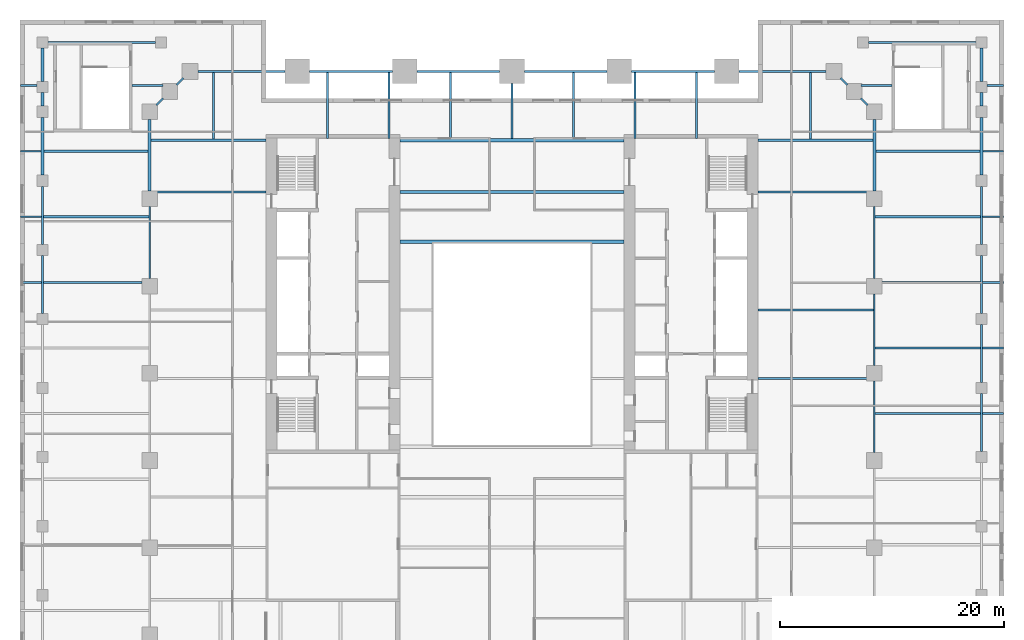
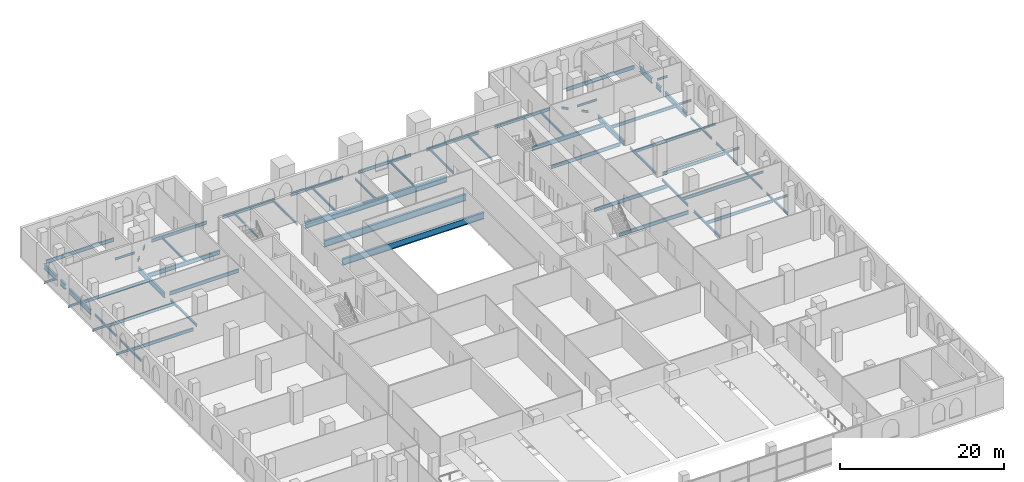
# One storey, part 6 of 18: 68 beams.
"""IFC4 building model written with IfcOpenShell, lengths in metres."""

import ifcopenshell
import ifcopenshell.guid

model = None  # the IFC model being written
_history = None  # IfcOwnerHistory: only IFC2X3 demands one
_inside = {}  # id of a spatial element -> (the spatial element, [elements in it])
_under = {}  # id of a project, library or spatial element -> (it, [spatial elements below it])
_declared = {}  # id of a project -> (the project, [libraries it declares])
_typed = {}  # id of a type object -> (the type object, [elements of that type])
_made_of = {}  # id of a material, layer set ... -> (it, [elements and type objects made of it])


def new_model(schema):
    """Start an empty IFC model of exactly this schema.

    Asked for "IFC4X3", IfcOpenShell would pick the latest addendum, in which some entities
    have other attributes; the version numbers below select the first issue.
    IFC2X3 requires an IfcOwnerHistory on every rooted entity: one is made here for all.
    """
    global model, _history
    if schema == "IFC4X3":
        model = ifcopenshell.file(schema_version=(4, 3, 0, 0))
    else:
        model = ifcopenshell.file(schema=schema)
    _inside.clear()
    _under.clear()
    _declared.clear()
    _typed.clear()
    _made_of.clear()
    _history = None
    if model.schema == "IFC2X3":
        org = make("IfcOrganization", Name="unknown")
        user = make(
            "IfcPersonAndOrganization",
            ThePerson=make("IfcPerson", FamilyName="unknown"),
            TheOrganization=org,
        )
        app = make(
            "IfcApplication",
            ApplicationDeveloper=org,
            Version="unknown",
            ApplicationFullName="unknown",
            ApplicationIdentifier="unknown",
        )
        _history = make(
            "IfcOwnerHistory",
            OwningUser=user,
            OwningApplication=app,
            ChangeAction="ADDED",
            CreationDate=0,
        )
    return model


def make(cls, **values):
    """One entity of the class cls with the attributes given. An attribute that is None is left unset."""
    return model.create_entity(
        cls, **{name: value for name, value in values.items() if value is not None}
    )


def rooted(cls, **values):
    """An entity with a GlobalId (a new one), such as an element, a storey or a relation."""
    return make(cls, GlobalId=ifcopenshell.guid.new(), OwnerHistory=_history, **values)


def si_unit(unit_type, name, prefix=None):
    """IfcSIUnit, for example si_unit("LENGTHUNIT", "METRE", prefix="MILLI")."""
    return make("IfcSIUnit", UnitType=unit_type, Prefix=prefix, Name=name)


def assignment(units):
    """IfcUnitAssignment: the units of a project."""
    return None if units is None else make("IfcUnitAssignment", Units=units)


def point(xyz):
    """IfcCartesianPoint."""
    return None if xyz is None else make("IfcCartesianPoint", Coordinates=xyz)


def direction(xyz):
    """IfcDirection."""
    return None if xyz is None else make("IfcDirection", DirectionRatios=xyz)


def frame(location, z_axis=None, x_axis=None):
    """IfcAxis2Placement3D, a coordinate frame: its origin and axes. An axis left out is left unset."""
    return make(
        "IfcAxis2Placement3D",
        Location=point(location),
        Axis=direction(z_axis),
        RefDirection=direction(x_axis),
    )


def frame_2d(location, x_axis=None):
    """IfcAxis2Placement2D, a coordinate frame in the plane: its origin and x axis."""
    return make(
        "IfcAxis2Placement2D", Location=point(location), RefDirection=direction(x_axis)
    )


def origin():
    """The frame at (0, 0, 0) with its axes left unset."""
    return frame((0.0, 0.0, 0.0))


def origin_2d():
    """The frame at (0, 0) in the plane with its x axis left unset."""
    return frame_2d((0.0, 0.0))


def place(relative_to, where):
    """IfcLocalPlacement: puts the frame where relative to a parent placement (None: the world)."""
    return make(
        "IfcLocalPlacement", PlacementRelTo=relative_to, RelativePlacement=where
    )


def context(
    kind, dimensions, precision=None, world=None, true_north=None, identifier=None
):
    """IfcGeometricRepresentationContext, for example the 3D "Model" context."""
    return make(
        "IfcGeometricRepresentationContext",
        ContextIdentifier=identifier,
        ContextType=kind,
        CoordinateSpaceDimension=dimensions,
        Precision=precision,
        WorldCoordinateSystem=world,
        TrueNorth=true_north,
    )


def subcontext(parent, identifier, kind, view, scale=None):
    """IfcGeometricRepresentationSubContext, for example "Body" below "Model"."""
    return make(
        "IfcGeometricRepresentationSubContext",
        ContextIdentifier=identifier,
        ContextType=kind,
        ParentContext=parent,
        TargetScale=scale,
        TargetView=view,
    )


def project(units=None, contexts=None):
    """IfcProject with its units and contexts."""
    return rooted(
        "IfcProject",
        Name="project",
        RepresentationContexts=contexts,
        UnitsInContext=assignment(units),
    )


def spatial(cls, under=None, at=None, **own):
    """A site, building, storey or space (cls), placed at a placement, below another one or the project."""
    s = rooted(cls, ObjectPlacement=at, **own)
    if under is not None:
        _under.setdefault(under.id(), (under, []))[1].append(s)
    return s


def profile(cls, at=None, kind="AREA", **sizes):
    """A parametric profile (cls). Its sizes go by their IFC names, for example OverallWidth=200.0."""
    return make(cls, ProfileType=kind, Position=at, **sizes)


def i_section(**sizes):
    """IfcIShapeProfileDef."""
    return profile("IfcIShapeProfileDef", **sizes)


def extrude(swept, where, along, depth):
    """IfcExtrudedAreaSolid: the profile swept, set in the frame where, extruded along a direction by depth."""
    return make(
        "IfcExtrudedAreaSolid",
        SweptArea=swept,
        Position=where,
        ExtrudedDirection=direction(along),
        Depth=depth,
    )


def shape(context_of_items, identifier, shape_type, items):
    """IfcShapeRepresentation: the items that make up one representation, for example the "Body"."""
    return make(
        "IfcShapeRepresentation",
        ContextOfItems=context_of_items,
        RepresentationIdentifier=identifier,
        RepresentationType=shape_type,
        Items=items,
    )


def material(Name=None, Category=None):
    """IfcMaterial."""
    return make("IfcMaterial", Name=Name, Category=Category)


def material_profile(
    of_material, cross_section, Name=None, Category=None, Priority=None
):
    """IfcMaterialProfile: a cross section and its material."""
    return make(
        "IfcMaterialProfile",
        Name=Name,
        Material=of_material,
        Profile=cross_section,
        Priority=Priority,
        Category=Category,
    )


def profile_set(profiles, Name=None, composite=None):
    """IfcMaterialProfileSet."""
    return make(
        "IfcMaterialProfileSet",
        Name=Name,
        MaterialProfiles=profiles,
        CompositeProfile=composite,
    )


def made_of(thing, what):
    """Note that an element or type object is made of a material, layer set ...; save() writes the relation."""
    if what is not None:
        _made_of.setdefault(what.id(), (what, []))[1].append(thing)
    return thing


def type_object(cls, material=None, **own):
    """A type object (cls), such as IfcWallType, which elements share."""
    return made_of(rooted(cls, **own), material)


def element(
    cls,
    number,
    at=None,
    inside=None,
    cuts=None,
    type_object=None,
    material=None,
    context=None,
    identifier="Body",
    shape_type=None,
    held_by="IfcProductDefinitionShape",
    body=None,
    shapes=None,
    **own,
):
    """One element of the class cls, such as IfcWall. Its Tag is "e" and its number.

    at: its placement. inside: the storey or other place that contains it. cuts: it is an
    opening in that element (IfcRelVoidsElement). A single representation is given by context,
    identifier, shape_type and body (its items); several are given by shapes. held_by: the class
    of the entity that holds the representations. save() writes the other relations.
    """
    e = rooted(cls, Tag="e%d" % number, ObjectPlacement=at, **own)
    if body is not None:
        shapes = [shape(context, identifier, shape_type, body)]
    if shapes is not None:
        e.Representation = make(held_by, Representations=shapes)
    if inside is not None:
        _inside.setdefault(inside.id(), (inside, []))[1].append(e)
    if cuts is not None:
        rooted(
            "IfcRelVoidsElement", RelatingBuildingElement=cuts, RelatedOpeningElement=e
        )
    if type_object is not None:
        _typed.setdefault(type_object.id(), (type_object, []))[1].append(e)
    return made_of(e, material)


def aggregate(whole, parts):
    """IfcRelAggregates: a whole, such as a stair, and the parts it consists of."""
    return rooted("IfcRelAggregates", RelatingObject=whole, RelatedObjects=parts)


def save(model, path):
    """Write the relations noted so far, then the file.

    IfcRelAggregates (storeys below a building ...), IfcRelContainedInSpatialStructure (elements
    in a storey), IfcRelDefinesByType, IfcRelAssociatesMaterial and IfcRelDeclares: one each for
    every whole, place, type object, material and project.
    """
    for whole, parts in _under.values():
        aggregate(whole, parts)
    for where, things in _inside.values():
        rooted(
            "IfcRelContainedInSpatialStructure",
            RelatedElements=things,
            RelatingStructure=where,
        )
    for kind, things in _typed.values():
        rooted("IfcRelDefinesByType", RelatedObjects=things, RelatingType=kind)
    for what, things in _made_of.values():
        rooted("IfcRelAssociatesMaterial", RelatedObjects=things, RelatingMaterial=what)
    for by, libraries in _declared.values():
        rooted("IfcRelDeclares", RelatingContext=by, RelatedDefinitions=libraries)
    model.write(path)


model = new_model("IFC4")

# Units and contexts
model_context = context("Model", 3, precision=1e-05, world=origin(), true_north=direction((0.0, 1.0)))
body_context = subcontext(model_context, "Body", "Model", "MODEL_VIEW")
ifc_project = project(units=[si_unit("LENGTHUNIT", "METRE"), si_unit("AREAUNIT", "SQUARE_METRE"), si_unit("VOLUMEUNIT", "CUBIC_METRE"), si_unit("PLANEANGLEUNIT", "RADIAN"), si_unit("MASSUNIT", "GRAM", prefix="KILO")], contexts=[model_context])

# Site, building, storey
site_placement = place(None, origin())
site = spatial("IfcSite", under=ifc_project, at=site_placement, CompositionType="ELEMENT")
building_placement = place(site_placement, origin())
building = spatial("IfcBuilding", under=site, at=building_placement, Name="Ogive Exchange Tower", CompositionType="ELEMENT")
storey_placement = place(building_placement, frame((0.0, 0.0, 28.800048828125)))
storey = spatial("IfcBuildingStorey", under=building, at=storey_placement, Name="L05", CompositionType="ELEMENT", Elevation=28.800048828125)

# Beams
ifc_material = material(Name="Steel ASTM A992 Gr50", Category="steel")
ifc_material_profile_1 = material_profile(ifc_material, i_section(OverallWidth=0.300048828125, OverallDepth=0.969970703125, WebThickness=0.01611328125, FlangeThickness=0.02099609375, at=origin_2d()), Name="W1000x222")
ifc_profile_set_1 = profile_set([ifc_material_profile_1], Name="Steel ASTM A992 Gr50")
beam_type_1 = type_object("IfcBeamType", Name="Floor beam W1000x222", PredefinedType="JOIST", material=ifc_profile_set_1)
beam_1_placement = place(storey_placement, frame((-10.0, 20.62255859375, -0.78515625), z_axis=(1.0, 0.0, 0.0), x_axis=(0.0, 1.0, 0.0)))
element("IfcBeam", 1, at=beam_1_placement, inside=storey, type_object=beam_type_1, Name="Floor beam", PredefinedType="JOIST", context=body_context, shape_type="SweptSolid", body=[
    extrude(i_section(OverallWidth=0.300048828125, OverallDepth=0.969970703125, WebThickness=0.01611328125, FlangeThickness=0.02099609375, at=origin_2d()), origin(), (0.0, 0.0, 1.0), 20.0),
])
ifc_material_profile_2 = material_profile(ifc_material, i_section(OverallWidth=0.1650390625, OverallDepth=0.31005859375, WebThickness=0.005859375, FlangeThickness=0.009765625, at=origin_2d()), Name="W310x38.7")
ifc_profile_set_2 = profile_set([ifc_material_profile_2], Name="Steel ASTM A992 Gr50")
beam_type_2 = type_object("IfcBeamType", Name="Floor beam W310x38.7", PredefinedType="JOIST", material=ifc_profile_set_2)
for number, where, z_axis, x_axis, name in (
    (2, (-16.5, 25.39990234375, -0.455078125), (0.0, 1.0, 0.0), (-1.0, 0.0, 0.0), "Floor beam"),
    (3, (-11.0, 25.39990234375, -0.455078125), (0.0, 1.0, 0.0), (-1.0, 0.0, 0.0), "Floor beam"),
):
    element("IfcBeam", number, at=place(storey_placement, frame(where, z_axis=z_axis, x_axis=x_axis)), inside=storey, type_object=beam_type_2, Name=name, PredefinedType="JOIST", context=body_context, shape_type="SweptSolid", body=[
        extrude(i_section(OverallWidth=0.1650390625, OverallDepth=0.31005859375, WebThickness=0.005859375, FlangeThickness=0.009765625, at=origin_2d()), origin(), (0.0, 0.0, 1.0), 5.904541015625),
    ])
beam_2_placement = place(storey_placement, frame((-5.5, 25.39501953125, -0.455078125), z_axis=(0.0, 1.0, 0.0), x_axis=(-1.0, 0.0, 0.0)))
element("IfcBeam", 4, at=beam_2_placement, inside=storey, type_object=beam_type_2, Name="Floor beam", PredefinedType="JOIST", context=body_context, shape_type="SweptSolid", body=[
    extrude(i_section(OverallWidth=0.1650390625, OverallDepth=0.31005859375, WebThickness=0.005859375, FlangeThickness=0.009765625, at=origin_2d()), origin(), (0.0, 0.0, 1.0), 5.909423828125),
])
beam_3_placement = place(storey_placement, frame((0.0, 25.39501953125, -0.455078125), z_axis=(0.0, 1.0, 0.0), x_axis=(-1.0, 0.0, 0.0)))
element("IfcBeam", 5, at=beam_3_placement, inside=storey, type_object=beam_type_2, Name="Floor beam", PredefinedType="JOIST", context=body_context, shape_type="SweptSolid", body=[
    extrude(i_section(OverallWidth=0.1650390625, OverallDepth=0.31005859375, WebThickness=0.005859375, FlangeThickness=0.009765625, at=origin_2d()), origin(), (0.0, 0.0, 1.0), 4.905029296875),
])
beam_4_placement = place(storey_placement, frame((5.5, 25.39501953125, -0.455078125), z_axis=(0.0, 1.0, 0.0), x_axis=(-1.0, 0.0, 0.0)))
element("IfcBeam", 6, at=beam_4_placement, inside=storey, type_object=beam_type_2, Name="Floor beam", PredefinedType="JOIST", context=body_context, shape_type="SweptSolid", body=[
    extrude(i_section(OverallWidth=0.1650390625, OverallDepth=0.31005859375, WebThickness=0.005859375, FlangeThickness=0.009765625, at=origin_2d()), origin(), (0.0, 0.0, 1.0), 5.909423828125),
])
for number, where, z_axis, x_axis, name in (
    (7, (11.0, 25.39990234375, -0.455078125), (0.0, 1.0, 0.0), (-1.0, 0.0, 0.0), "Floor beam"),
    (8, (16.5, 25.39990234375, -0.455078125), (0.0, 1.0, 0.0), (-1.0, 0.0, 0.0), "Floor beam"),
):
    element("IfcBeam", number, at=place(storey_placement, frame(where, z_axis=z_axis, x_axis=x_axis)), inside=storey, type_object=beam_type_2, Name=name, PredefinedType="JOIST", context=body_context, shape_type="SweptSolid", body=[
        extrude(i_section(OverallWidth=0.1650390625, OverallDepth=0.31005859375, WebThickness=0.005859375, FlangeThickness=0.009765625, at=origin_2d()), origin(), (0.0, 0.0, 1.0), 5.904541015625),
    ])
for number, where, z_axis, x_axis, name in (
    (9, (26.699951171875, 25.35888671875, -0.455078125), (0.0, 1.0, 0.0), (-1.0, 0.0, 0.0), "Floor beam"),
    (10, (-26.699951171875, 25.35888671875, -0.455078125), (0.0, 1.0, 0.0), (-1.0, 0.0, 0.0), "Floor beam"),
):
    element("IfcBeam", number, at=place(storey_placement, frame(where, z_axis=z_axis, x_axis=x_axis)), inside=storey, type_object=beam_type_2, Name=name, PredefinedType="JOIST", context=body_context, shape_type="SweptSolid", body=[
        extrude(i_section(OverallWidth=0.1650390625, OverallDepth=0.31005859375, WebThickness=0.005859375, FlangeThickness=0.009765625, at=origin_2d()), origin(), (0.0, 0.0, 1.0), 5.945556640625),
    ])
for number, where, z_axis, x_axis, name in (
    (11, (42.08251953125, 0.800048828125, -0.455078125), (1.0, 0.0, 0.0), (0.0, 1.0, 0.0), "Floor beam"),
    (12, (42.08251953125, 6.666748046875, -0.455078125), (1.0, 0.0, 0.0), (0.0, 1.0, 0.0), "Floor beam"),
    (13, (42.08251953125, 12.533203125, -0.455078125), (1.0, 0.0, 0.0), (0.0, 1.0, 0.0), "Floor beam"),
    (14, (42.08251953125, 18.39990234375, -0.455078125), (1.0, 0.0, 0.0), (0.0, 1.0, 0.0), "Floor beam"),
):
    element("IfcBeam", number, at=place(storey_placement, frame(where, z_axis=z_axis, x_axis=x_axis)), inside=storey, type_object=beam_type_2, Name=name, PredefinedType="JOIST", context=body_context, shape_type="SweptSolid", body=[
        extrude(i_section(OverallWidth=0.1650390625, OverallDepth=0.31005859375, WebThickness=0.005859375, FlangeThickness=0.009765625, at=origin_2d()), origin(), (0.0, 0.0, 1.0), 1.867431640625),
    ])
beam_5_placement = place(storey_placement, frame((42.133544921875, 24.2666015625, -0.455078125), z_axis=(1.0, 0.0, 0.0), x_axis=(0.0, 1.0, 0.0)))
element("IfcBeam", 15, at=beam_5_placement, inside=storey, type_object=beam_type_2, Name="Floor beam", PredefinedType="JOIST", context=body_context, shape_type="SweptSolid", body=[
    extrude(i_section(OverallWidth=0.1650390625, OverallDepth=0.31005859375, WebThickness=0.005859375, FlangeThickness=0.009765625, at=origin_2d()), origin(), (0.0, 0.0, 1.0), 1.81640625),
])
beam_6_placement = place(storey_placement, frame((31.199951171875, 30.13330078125, -0.455078125), z_axis=(1.0, 0.0, 0.0), x_axis=(0.0, 1.0, 0.0)))
element("IfcBeam", 16, at=beam_6_placement, inside=storey, type_object=beam_type_2, Name="Floor beam", PredefinedType="JOIST", context=body_context, shape_type="SweptSolid", body=[
    extrude(i_section(OverallWidth=0.1650390625, OverallDepth=0.31005859375, WebThickness=0.005859375, FlangeThickness=0.009765625, at=origin_2d()), origin(), (0.0, 0.0, 1.0), 2.800048828125),
])
beam_7_placement = place(storey_placement, frame((42.5, 30.13330078125, -0.455078125), z_axis=(1.0, 0.0, 0.0), x_axis=(0.0, 1.0, 0.0)))
element("IfcBeam", 17, at=beam_7_placement, inside=storey, type_object=beam_type_2, Name="Floor beam", PredefinedType="JOIST", context=body_context, shape_type="SweptSolid", body=[
    extrude(i_section(OverallWidth=0.1650390625, OverallDepth=0.31005859375, WebThickness=0.005859375, FlangeThickness=0.009765625, at=origin_2d()), origin(), (0.0, 0.0, 1.0), 1.449951171875),
])
for number, where, z_axis, x_axis, name in (
    (18, (-43.949951171875, 12.533203125, -0.455078125), (1.0, 0.0, 0.0), (0.0, 1.0, 0.0), "Floor beam"),
    (19, (-43.949951171875, 18.39990234375, -0.455078125), (1.0, 0.0, 0.0), (0.0, 1.0, 0.0), "Floor beam"),
):
    element("IfcBeam", number, at=place(storey_placement, frame(where, z_axis=z_axis, x_axis=x_axis)), inside=storey, type_object=beam_type_2, Name=name, PredefinedType="JOIST", context=body_context, shape_type="SweptSolid", body=[
        extrude(i_section(OverallWidth=0.1650390625, OverallDepth=0.31005859375, WebThickness=0.005859375, FlangeThickness=0.009765625, at=origin_2d()), origin(), (0.0, 0.0, 1.0), 1.867431640625),
    ])
beam_8_placement = place(storey_placement, frame((-43.949951171875, 24.2666015625, -0.455078125), z_axis=(1.0, 0.0, 0.0), x_axis=(0.0, 1.0, 0.0)))
element("IfcBeam", 20, at=beam_8_placement, inside=storey, type_object=beam_type_2, Name="Floor beam", PredefinedType="JOIST", context=body_context, shape_type="SweptSolid", body=[
    extrude(i_section(OverallWidth=0.1650390625, OverallDepth=0.31005859375, WebThickness=0.005859375, FlangeThickness=0.009765625, at=origin_2d()), origin(), (0.0, 0.0, 1.0), 1.81640625),
])
beam_9_placement = place(storey_placement, frame((-43.949951171875, 30.13330078125, -0.455078125), z_axis=(1.0, 0.0, 0.0), x_axis=(0.0, 1.0, 0.0)))
element("IfcBeam", 21, at=beam_9_placement, inside=storey, type_object=beam_type_2, Name="Floor beam", PredefinedType="JOIST", context=body_context, shape_type="SweptSolid", body=[
    extrude(i_section(OverallWidth=0.1650390625, OverallDepth=0.31005859375, WebThickness=0.005859375, FlangeThickness=0.009765625, at=origin_2d()), origin(), (0.0, 0.0, 1.0), 1.449951171875),
])
beam_10_placement = place(storey_placement, frame((-34.0, 30.13330078125, -0.455078125), z_axis=(1.0, 0.0, 0.0), x_axis=(0.0, 1.0, 0.0)))
element("IfcBeam", 22, at=beam_10_placement, inside=storey, type_object=beam_type_2, Name="Floor beam", PredefinedType="JOIST", context=body_context, shape_type="SweptSolid", body=[
    extrude(i_section(OverallWidth=0.1650390625, OverallDepth=0.31005859375, WebThickness=0.005859375, FlangeThickness=0.009765625, at=origin_2d()), origin(), (0.0, 0.0, 1.0), 2.800048828125),
])
ifc_material_profile_3 = material_profile(ifc_material, i_section(OverallWidth=0.19091796875, OverallDepth=0.45703125, WebThickness=0.009033203125, FlangeThickness=0.014404296875, at=origin_2d()), Name="W460x74")
ifc_profile_set_3 = profile_set([ifc_material_profile_3], Name="Steel ASTM A992 Gr50")
beam_type_3 = type_object("IfcBeamType", Name="Floor beam W460x74", PredefinedType="JOIST", material=ifc_profile_set_3)
for number, where, z_axis, x_axis, name in (
    (23, (32.485595703125, 0.800048828125, -0.528564453125), (1.0, 0.0, 0.0), (0.0, 1.0, 0.0), "Floor beam"),
    (24, (32.485595703125, 6.666748046875, -0.528564453125), (1.0, 0.0, 0.0), (0.0, 1.0, 0.0), "Floor beam"),
):
    element("IfcBeam", number, at=place(storey_placement, frame(where, z_axis=z_axis, x_axis=x_axis)), inside=storey, type_object=beam_type_3, Name=name, PredefinedType="JOIST", context=body_context, shape_type="SweptSolid", body=[
        extrude(i_section(OverallWidth=0.19091796875, OverallDepth=0.45703125, WebThickness=0.009033203125, FlangeThickness=0.014404296875, at=origin_2d()), origin(), (0.0, 0.0, 1.0), 9.431884765625),
    ])
beam_11_placement = place(storey_placement, frame((33.10009765625, 12.533203125, -0.528564453125), z_axis=(1.0, 0.0, 0.0), x_axis=(0.0, 1.0, 0.0)))
element("IfcBeam", 25, at=beam_11_placement, inside=storey, type_object=beam_type_3, Name="Floor beam", PredefinedType="JOIST", context=body_context, shape_type="SweptSolid", body=[
    extrude(i_section(OverallWidth=0.19091796875, OverallDepth=0.45703125, WebThickness=0.009033203125, FlangeThickness=0.014404296875, at=origin_2d()), origin(), (0.0, 0.0, 1.0), 8.8173828125),
])
beam_12_placement = place(storey_placement, frame((32.485595703125, 18.39990234375, -0.528564453125), z_axis=(1.0, 0.0, 0.0), x_axis=(0.0, 1.0, 0.0)))
element("IfcBeam", 26, at=beam_12_placement, inside=storey, type_object=beam_type_3, Name="Floor beam", PredefinedType="JOIST", context=body_context, shape_type="SweptSolid", body=[
    extrude(i_section(OverallWidth=0.19091796875, OverallDepth=0.45703125, WebThickness=0.009033203125, FlangeThickness=0.014404296875, at=origin_2d()), origin(), (0.0, 0.0, 1.0), 9.431884765625),
])
beam_13_placement = place(storey_placement, frame((32.533447265625, 24.2666015625, -0.528564453125), z_axis=(1.0, 0.0, 0.0), x_axis=(0.0, 1.0, 0.0)))
element("IfcBeam", 27, at=beam_13_placement, inside=storey, type_object=beam_type_3, Name="Floor beam", PredefinedType="JOIST", context=body_context, shape_type="SweptSolid", body=[
    extrude(i_section(OverallWidth=0.19091796875, OverallDepth=0.45703125, WebThickness=0.009033203125, FlangeThickness=0.014404296875, at=origin_2d()), origin(), (0.0, 0.0, 1.0), 9.3330078125),
])
beam_14_placement = place(storey_placement, frame((-41.91748046875, 12.533203125, -0.528564453125), z_axis=(1.0, 0.0, 0.0), x_axis=(0.0, 1.0, 0.0)))
element("IfcBeam", 28, at=beam_14_placement, inside=storey, type_object=beam_type_3, Name="Floor beam", PredefinedType="JOIST", context=body_context, shape_type="SweptSolid", body=[
    extrude(i_section(OverallWidth=0.19091796875, OverallDepth=0.45703125, WebThickness=0.009033203125, FlangeThickness=0.014404296875, at=origin_2d()), origin(), (0.0, 0.0, 1.0), 8.8173828125),
])
beam_15_placement = place(storey_placement, frame((-41.91748046875, 18.39990234375, -0.528564453125), z_axis=(1.0, 0.0, 0.0), x_axis=(0.0, 1.0, 0.0)))
element("IfcBeam", 29, at=beam_15_placement, inside=storey, type_object=beam_type_3, Name="Floor beam", PredefinedType="JOIST", context=body_context, shape_type="SweptSolid", body=[
    extrude(i_section(OverallWidth=0.19091796875, OverallDepth=0.45703125, WebThickness=0.009033203125, FlangeThickness=0.014404296875, at=origin_2d()), origin(), (0.0, 0.0, 1.0), 9.431884765625),
])
beam_16_placement = place(storey_placement, frame((-41.866455078125, 24.2666015625, -0.528564453125), z_axis=(1.0, 0.0, 0.0), x_axis=(0.0, 1.0, 0.0)))
element("IfcBeam", 30, at=beam_16_placement, inside=storey, type_object=beam_type_3, Name="Floor beam", PredefinedType="JOIST", context=body_context, shape_type="SweptSolid", body=[
    extrude(i_section(OverallWidth=0.19091796875, OverallDepth=0.45703125, WebThickness=0.009033203125, FlangeThickness=0.014404296875, at=origin_2d()), origin(), (0.0, 0.0, 1.0), 9.3330078125),
])
ifc_material_profile_4 = material_profile(ifc_material, i_section(OverallWidth=0.1669921875, OverallDepth=0.535888671875, WebThickness=0.01025390625, FlangeThickness=0.0166015625, at=origin_2d()), Name="W530x85")
ifc_profile_set_4 = profile_set([ifc_material_profile_4], Name="Steel ASTM A992 Gr50")
beam_type_4 = type_object("IfcBeamType", Name="Floor beam W530x85", PredefinedType="JOIST", material=ifc_profile_set_4)
beam_17_placement = place(storey_placement, frame((22.0, 3.9482421875, -0.568115234375), z_axis=(1.0, 0.0, 0.0), x_axis=(0.0, 1.0, 0.0)))
element("IfcBeam", 31, at=beam_17_placement, inside=storey, type_object=beam_type_4, Name="Floor beam", PredefinedType="JOIST", context=body_context, shape_type="SweptSolid", body=[
    extrude(i_section(OverallWidth=0.1669921875, OverallDepth=0.535888671875, WebThickness=0.01025390625, FlangeThickness=0.0166015625, at=origin_2d()), origin(), (0.0, 0.0, 1.0), 9.800048828125),
])
beam_18_placement = place(storey_placement, frame((22.0, 10.0517578125, -0.568115234375), z_axis=(1.0, 0.0, 0.0), x_axis=(0.0, 1.0, 0.0)))
element("IfcBeam", 32, at=beam_18_placement, inside=storey, type_object=beam_type_4, Name="Floor beam", PredefinedType="JOIST", context=body_context, shape_type="SweptSolid", body=[
    extrude(i_section(OverallWidth=0.1669921875, OverallDepth=0.535888671875, WebThickness=0.01025390625, FlangeThickness=0.0166015625, at=origin_2d()), origin(), (0.0, 0.0, 1.0), 10.344970703125),
])
for number, where, z_axis, x_axis, name in (
    (33, (-31.800048828125, 20.62255859375, -0.568115234375), (1.0, 0.0, 0.0), (0.0, 1.0, 0.0), "Floor beam"),
    (34, (22.0, 20.62255859375, -0.568115234375), (1.0, 0.0, 0.0), (0.0, 1.0, 0.0), "Floor beam"),
):
    element("IfcBeam", number, at=place(storey_placement, frame(where, z_axis=z_axis, x_axis=x_axis)), inside=storey, type_object=beam_type_4, Name=name, PredefinedType="JOIST", context=body_context, shape_type="SweptSolid", body=[
        extrude(i_section(OverallWidth=0.1669921875, OverallDepth=0.535888671875, WebThickness=0.01025390625, FlangeThickness=0.0166015625, at=origin_2d()), origin(), (0.0, 0.0, 1.0), 9.800048828125),
    ])
ifc_material_profile_5 = material_profile(ifc_material, i_section(OverallWidth=0.300048828125, OverallDepth=0.97998046875, WebThickness=0.0166015625, FlangeThickness=0.026123046875, at=origin_2d()), Name="W1000x249")
ifc_profile_set_5 = profile_set([ifc_material_profile_5], Name="Steel ASTM A992 Gr50")
beam_type_5 = type_object("IfcBeamType", Name="Girder W1000x249", PredefinedType="BEAM", material=ifc_profile_set_5)
for number, where, z_axis, x_axis, name in (
    (35, (-10.0, 25.2451171875, -0.7900390625), (1.0, 0.0, 0.0), (0.0, 1.0, 0.0), "Header girder"),
    (36, (-10.0, 16.155029296875, -0.7900390625), (1.0, 0.0, 0.0), (0.0, 1.0, 0.0), "Trimmer girder"),
):
    element("IfcBeam", number, at=place(storey_placement, frame(where, z_axis=z_axis, x_axis=x_axis)), inside=storey, type_object=beam_type_5, Name=name, PredefinedType="BEAM", context=body_context, shape_type="SweptSolid", body=[
        extrude(i_section(OverallWidth=0.300048828125, OverallDepth=0.97998046875, WebThickness=0.0166015625, FlangeThickness=0.026123046875, at=origin_2d()), origin(), (0.0, 0.0, 1.0), 20.0),
    ])
ifc_material_profile_6 = material_profile(ifc_material, i_section(OverallWidth=0.1650390625, OverallDepth=0.31005859375, WebThickness=0.005859375, FlangeThickness=0.009765625, at=origin_2d()), Name="W310x38.7")
ifc_profile_set_6 = profile_set([ifc_material_profile_6], Name="Steel ASTM A992 Gr50")
beam_type_6 = type_object("IfcBeamType", Name="Girder W310x38.7", PredefinedType="BEAM", material=ifc_profile_set_6)
for number, where, z_axis, x_axis, name in (
    (37, (31.805908203125, 28.39404296875, -0.455078125), (-0.706965712506, 0.707247821729, 0.0), (-0.707247821729, -0.706965712506, 0.0), "Girder"),
    (38, (30.006103515625, 30.194091796875, -0.455078125), (-0.707247821729, 0.706965712506, 0.0), (-0.706965712506, -0.707247821729, 0.0), "Girder"),
    (39, (-29.39404296875, 30.805908203125, -0.455078125), (-0.707247821729, -0.706965712506, 0.0), (0.706965712506, -0.707247821729, 0.0), "Girder"),
    (40, (-31.194091796875, 29.006103515625, -0.455078125), (-0.706965712506, -0.707247821729, 0.0), (0.707247821729, -0.706965712506, 0.0), "Girder"),
):
    element("IfcBeam", number, at=place(storey_placement, frame(where, z_axis=z_axis, x_axis=x_axis)), inside=storey, type_object=beam_type_6, Name=name, PredefinedType="BEAM", context=body_context, shape_type="SweptSolid", body=[
        extrude(i_section(OverallWidth=0.1650390625, OverallDepth=0.31005859375, WebThickness=0.005859375, FlangeThickness=0.009765625, at=origin_2d()), origin(), (0.0, 0.0, 1.0), 0.865478515625),
    ])
beam_19_placement = place(storey_placement, frame((42.0, -2.590087890625, -0.455078125), z_axis=(0.0, 1.0, 0.0), x_axis=(-1.0, 0.0, 0.0)))
element("IfcBeam", 41, at=beam_19_placement, inside=storey, type_object=beam_type_6, Name="Girder", PredefinedType="BEAM", context=body_context, shape_type="SweptSolid", body=[
    extrude(i_section(OverallWidth=0.1650390625, OverallDepth=0.31005859375, WebThickness=0.005859375, FlangeThickness=0.009765625, at=origin_2d()), origin(), (0.0, 0.0, 1.0), 5.18017578125),
])
beam_20_placement = place(storey_placement, frame((42.0, 3.590087890625, -0.455078125), z_axis=(0.0, 1.0, 0.0), x_axis=(-1.0, 0.0, 0.0)))
element("IfcBeam", 42, at=beam_20_placement, inside=storey, type_object=beam_type_6, Name="Girder", PredefinedType="BEAM", context=body_context, shape_type="SweptSolid", body=[
    extrude(i_section(OverallWidth=0.1650390625, OverallDepth=0.31005859375, WebThickness=0.005859375, FlangeThickness=0.009765625, at=origin_2d()), origin(), (0.0, 0.0, 1.0), 5.179931640625),
])
beam_21_placement = place(storey_placement, frame((42.0, 9.77001953125, -0.455078125), z_axis=(0.0, 1.0, 0.0), x_axis=(-1.0, 0.0, 0.0)))
element("IfcBeam", 43, at=beam_21_placement, inside=storey, type_object=beam_type_6, Name="Girder", PredefinedType="BEAM", context=body_context, shape_type="SweptSolid", body=[
    extrude(i_section(OverallWidth=0.1650390625, OverallDepth=0.31005859375, WebThickness=0.005859375, FlangeThickness=0.009765625, at=origin_2d()), origin(), (0.0, 0.0, 1.0), 5.169921875),
])
beam_22_placement = place(storey_placement, frame((42.0, 15.93994140625, -0.455078125), z_axis=(0.0, 1.0, 0.0), x_axis=(-1.0, 0.0, 0.0)))
element("IfcBeam", 44, at=beam_22_placement, inside=storey, type_object=beam_type_6, Name="Girder", PredefinedType="BEAM", context=body_context, shape_type="SweptSolid", body=[
    extrude(i_section(OverallWidth=0.1650390625, OverallDepth=0.31005859375, WebThickness=0.005859375, FlangeThickness=0.009765625, at=origin_2d()), origin(), (0.0, 0.0, 1.0), 5.18017578125),
])
beam_23_placement = place(storey_placement, frame((-42.0, 9.77001953125, -0.455078125), z_axis=(0.0, 1.0, 0.0), x_axis=(-1.0, 0.0, 0.0)))
element("IfcBeam", 45, at=beam_23_placement, inside=storey, type_object=beam_type_6, Name="Girder", PredefinedType="BEAM", context=body_context, shape_type="SweptSolid", body=[
    extrude(i_section(OverallWidth=0.1650390625, OverallDepth=0.31005859375, WebThickness=0.005859375, FlangeThickness=0.009765625, at=origin_2d()), origin(), (0.0, 0.0, 1.0), 5.169921875),
])
beam_24_placement = place(storey_placement, frame((-42.0, 15.93994140625, -0.455078125), z_axis=(0.0, 1.0, 0.0), x_axis=(-1.0, 0.0, 0.0)))
element("IfcBeam", 46, at=beam_24_placement, inside=storey, type_object=beam_type_6, Name="Girder", PredefinedType="BEAM", context=body_context, shape_type="SweptSolid", body=[
    extrude(i_section(OverallWidth=0.1650390625, OverallDepth=0.31005859375, WebThickness=0.005859375, FlangeThickness=0.009765625, at=origin_2d()), origin(), (0.0, 0.0, 1.0), 5.18017578125),
])
ifc_material_profile_7 = material_profile(ifc_material, i_section(OverallWidth=0.1708984375, OverallDepth=0.35595703125, WebThickness=0.00732421875, FlangeThickness=0.01171875, at=origin_2d()), Name="W360x51")
ifc_profile_set_7 = profile_set([ifc_material_profile_7], Name="Steel ASTM A992 Gr50")
beam_type_7 = type_object("IfcBeamType", Name="Girder W360x51", PredefinedType="BEAM", material=ifc_profile_set_7)
beam_25_placement = place(storey_placement, frame((32.39990234375, 5.10009765625, -0.47802734375), z_axis=(0.0, 1.0, 0.0), x_axis=(-1.0, 0.0, 0.0)))
element("IfcBeam", 47, at=beam_25_placement, inside=storey, type_object=beam_type_7, Name="Girder", PredefinedType="BEAM", context=body_context, shape_type="SweptSolid", body=[
    extrude(i_section(OverallWidth=0.1708984375, OverallDepth=0.35595703125, WebThickness=0.00732421875, FlangeThickness=0.01171875, at=origin_2d()), origin(), (0.0, 0.0, 1.0), 6.39990234375),
])
for number, where, z_axis, x_axis, name in (
    (48, (32.39990234375, 12.89990234375, -0.47802734375), (0.0, 1.0, 0.0), (-1.0, 0.0, 0.0), "Girder"),
    (49, (-32.39990234375, 19.300048828125, -0.47802734375), (0.0, -1.0, 0.0), (1.0, 0.0, 0.0), "Girder"),
):
    element("IfcBeam", number, at=place(storey_placement, frame(where, z_axis=z_axis, x_axis=x_axis)), inside=storey, type_object=beam_type_7, Name=name, PredefinedType="BEAM", context=body_context, shape_type="SweptSolid", body=[
        extrude(i_section(OverallWidth=0.1708984375, OverallDepth=0.35595703125, WebThickness=0.00732421875, FlangeThickness=0.01171875, at=origin_2d()), origin(), (0.0, 0.0, 1.0), 6.400146484375),
    ])
beam_26_placement = place(storey_placement, frame((32.39990234375, -2.699951171875, -0.47802734375), z_axis=(0.0, 1.0, 0.0), x_axis=(-1.0, 0.0, 0.0)))
element("IfcBeam", 50, at=beam_26_placement, inside=storey, type_object=beam_type_7, Name="Girder", PredefinedType="BEAM", context=body_context, shape_type="SweptSolid", body=[
    extrude(i_section(OverallWidth=0.1708984375, OverallDepth=0.35595703125, WebThickness=0.00732421875, FlangeThickness=0.01171875, at=origin_2d()), origin(), (0.0, 0.0, 1.0), 6.39990234375),
])
ifc_material_profile_8 = material_profile(ifc_material, i_section(OverallWidth=0.19091796875, OverallDepth=0.45703125, WebThickness=0.009033203125, FlangeThickness=0.014404296875, at=origin_2d()), Name="W460x74")
ifc_profile_set_8 = profile_set([ifc_material_profile_8], Name="Steel ASTM A992 Gr50")
beam_type_8 = type_object("IfcBeamType", Name="Girder W460x74", PredefinedType="BEAM", material=ifc_profile_set_8)
beam_27_placement = place(storey_placement, frame((28.10009765625, 31.39990234375, -0.528564453125), z_axis=(-1.0, 0.0, 0.0), x_axis=(0.0, -1.0, 0.0)))
element("IfcBeam", 51, at=beam_27_placement, inside=storey, type_object=beam_type_8, Name="Girder", PredefinedType="BEAM", context=body_context, shape_type="SweptSolid", body=[
    extrude(i_section(OverallWidth=0.19091796875, OverallDepth=0.45703125, WebThickness=0.009033203125, FlangeThickness=0.014404296875, at=origin_2d()), origin(), (0.0, 0.0, 1.0), 7.800048828125),
])
beam_28_placement = place(storey_placement, frame((18.10009765625, 31.39990234375, -0.528564453125), z_axis=(-1.0, 0.0, 0.0), x_axis=(0.0, -1.0, 0.0)))
element("IfcBeam", 52, at=beam_28_placement, inside=storey, type_object=beam_type_8, Name="Girder", PredefinedType="BEAM", context=body_context, shape_type="SweptSolid", body=[
    extrude(i_section(OverallWidth=0.19091796875, OverallDepth=0.45703125, WebThickness=0.009033203125, FlangeThickness=0.014404296875, at=origin_2d()), origin(), (0.0, 0.0, 1.0), 7.400146484375),
])
for number, where, z_axis, x_axis, name in (
    (53, (8.5, 31.39990234375, -0.528564453125), (-1.0, 0.0, 0.0), (0.0, -1.0, 0.0), "Girder"),
    (54, (-1.10009765625, 31.39990234375, -0.528564453125), (-1.0, 0.0, 0.0), (0.0, -1.0, 0.0), "Girder"),
):
    element("IfcBeam", number, at=place(storey_placement, frame(where, z_axis=z_axis, x_axis=x_axis)), inside=storey, type_object=beam_type_8, Name=name, PredefinedType="BEAM", context=body_context, shape_type="SweptSolid", body=[
        extrude(i_section(OverallWidth=0.19091796875, OverallDepth=0.45703125, WebThickness=0.009033203125, FlangeThickness=0.014404296875, at=origin_2d()), origin(), (0.0, 0.0, 1.0), 7.39990234375),
    ])
beam_29_placement = place(storey_placement, frame((-10.699951171875, 31.39990234375, -0.528564453125), z_axis=(-1.0, 0.0, 0.0), x_axis=(0.0, -1.0, 0.0)))
element("IfcBeam", 55, at=beam_29_placement, inside=storey, type_object=beam_type_8, Name="Girder", PredefinedType="BEAM", context=body_context, shape_type="SweptSolid", body=[
    extrude(i_section(OverallWidth=0.19091796875, OverallDepth=0.45703125, WebThickness=0.009033203125, FlangeThickness=0.014404296875, at=origin_2d()), origin(), (0.0, 0.0, 1.0), 7.400146484375),
])
beam_30_placement = place(storey_placement, frame((-20.300048828125, 31.39990234375, -0.528564453125), z_axis=(-1.0, 0.0, 0.0), x_axis=(0.0, -1.0, 0.0)))
element("IfcBeam", 56, at=beam_30_placement, inside=storey, type_object=beam_type_8, Name="Girder", PredefinedType="BEAM", context=body_context, shape_type="SweptSolid", body=[
    extrude(i_section(OverallWidth=0.19091796875, OverallDepth=0.45703125, WebThickness=0.009033203125, FlangeThickness=0.014404296875, at=origin_2d()), origin(), (0.0, 0.0, 1.0), 7.800048828125),
])
ifc_material_profile_9 = material_profile(ifc_material, i_section(OverallWidth=0.1669921875, OverallDepth=0.535888671875, WebThickness=0.01025390625, FlangeThickness=0.0166015625, at=origin_2d()), Name="W530x85")
ifc_profile_set_9 = profile_set([ifc_material_profile_9], Name="Steel ASTM A992 Gr50")
beam_type_9 = type_object("IfcBeamType", Name="Girder W530x85", PredefinedType="BEAM", material=ifc_profile_set_9)
for number, where, z_axis, x_axis, name in (
    (57, (31.89990234375, 34.0, -0.568115234375), (1.0, 0.0, 0.0), (0.0, 1.0, 0.0), "Girder"),
    (58, (-41.5, 34.0, -0.568115234375), (1.0, 0.0, 0.0), (0.0, 1.0, 0.0), "Girder"),
):
    element("IfcBeam", number, at=place(storey_placement, frame(where, z_axis=z_axis, x_axis=x_axis)), inside=storey, type_object=beam_type_9, Name=name, PredefinedType="BEAM", context=body_context, shape_type="SweptSolid", body=[
        extrude(i_section(OverallWidth=0.1669921875, OverallDepth=0.535888671875, WebThickness=0.01025390625, FlangeThickness=0.0166015625, at=origin_2d()), origin(), (0.0, 0.0, 1.0), 9.60009765625),
    ])
ifc_material_profile_10 = material_profile(ifc_material, i_section(OverallWidth=0.22802734375, OverallDepth=0.60205078125, WebThickness=0.010498046875, FlangeThickness=0.014892578125, at=origin_2d()), Name="W610x101")
ifc_profile_set_10 = profile_set([ifc_material_profile_10], Name="Steel ASTM A992 Gr50")
beam_type_10 = type_object("IfcBeamType", Name="Girder W610x101", PredefinedType="BEAM", material=ifc_profile_set_10)
for number, where, z_axis, x_axis, name in (
    (59, (22.0, 25.2451171875, -0.60107421875), (1.0, 0.0, 0.0), (0.0, 1.0, 0.0), "Header girder"),
    (60, (-22.0, 25.2451171875, -0.60107421875), (-1.0, 0.0, 0.0), (0.0, -1.0, 0.0), "Header girder"),
):
    element("IfcBeam", number, at=place(storey_placement, frame(where, z_axis=z_axis, x_axis=x_axis)), inside=storey, type_object=beam_type_10, Name=name, PredefinedType="BEAM", context=body_context, shape_type="SweptSolid", body=[
        extrude(i_section(OverallWidth=0.22802734375, OverallDepth=0.60205078125, WebThickness=0.010498046875, FlangeThickness=0.014892578125, at=origin_2d()), origin(), (0.0, 0.0, 1.0), 10.344970703125),
    ])
ifc_material_profile_11 = material_profile(ifc_material, i_section(OverallWidth=0.26708984375, OverallDepth=0.75390625, WebThickness=0.01318359375, FlangeThickness=0.01708984375, at=origin_2d()), Name="W760x147")
ifc_profile_set_11 = profile_set([ifc_material_profile_11], Name="Steel ASTM A992 Gr50")
beam_type_11 = type_object("IfcBeamType", Name="Girder W760x147", PredefinedType="BEAM", material=ifc_profile_set_11)
for number, where, z_axis, x_axis, name in (
    (61, (32.39990234375, 20.699951171875, -0.677001953125), (0.0, 1.0, 0.0), (-1.0, 0.0, 0.0), "Girder"),
    (62, (-32.39990234375, 27.10009765625, -0.677001953125), (0.0, -1.0, 0.0), (1.0, 0.0, 0.0), "Girder"),
):
    element("IfcBeam", number, at=place(storey_placement, frame(where, z_axis=z_axis, x_axis=x_axis)), inside=storey, type_object=beam_type_11, Name=name, PredefinedType="BEAM", context=body_context, shape_type="SweptSolid", body=[
        extrude(i_section(OverallWidth=0.26708984375, OverallDepth=0.75390625, WebThickness=0.01318359375, FlangeThickness=0.01708984375, at=origin_2d()), origin(), (0.0, 0.0, 1.0), 6.400146484375),
    ])
beam_31_placement = place(storey_placement, frame((42.0, 22.1201171875, -0.677001953125), z_axis=(0.0, 1.0, 0.0), x_axis=(-1.0, 0.0, 0.0)))
element("IfcBeam", 63, at=beam_31_placement, inside=storey, type_object=beam_type_11, Name="Girder", PredefinedType="BEAM", context=body_context, shape_type="SweptSolid", body=[
    extrude(i_section(OverallWidth=0.26708984375, OverallDepth=0.75390625, WebThickness=0.01318359375, FlangeThickness=0.01708984375, at=origin_2d()), origin(), (0.0, 0.0, 1.0), 5.179931640625),
])
beam_32_placement = place(storey_placement, frame((42.0, 28.300048828125, -0.677001953125), z_axis=(0.0, 1.0, 0.0), x_axis=(-1.0, 0.0, 0.0)))
element("IfcBeam", 64, at=beam_32_placement, inside=storey, type_object=beam_type_11, Name="Girder", PredefinedType="BEAM", context=body_context, shape_type="SweptSolid", body=[
    extrude(i_section(OverallWidth=0.26708984375, OverallDepth=0.75390625, WebThickness=0.01318359375, FlangeThickness=0.01708984375, at=origin_2d()), origin(), (0.0, 0.0, 1.0), 1.199951171875),
])
beam_33_placement = place(storey_placement, frame((42.0, 30.5, -0.677001953125), z_axis=(0.0, 1.0, 0.0), x_axis=(-1.0, 0.0, 0.0)))
element("IfcBeam", 65, at=beam_33_placement, inside=storey, type_object=beam_type_11, Name="Girder", PredefinedType="BEAM", context=body_context, shape_type="SweptSolid", body=[
    extrude(i_section(OverallWidth=0.26708984375, OverallDepth=0.75390625, WebThickness=0.01318359375, FlangeThickness=0.01708984375, at=origin_2d()), origin(), (0.0, 0.0, 1.0), 3.0),
])
beam_34_placement = place(storey_placement, frame((-42.0, 22.1201171875, -0.677001953125), z_axis=(0.0, 1.0, 0.0), x_axis=(-1.0, 0.0, 0.0)))
element("IfcBeam", 66, at=beam_34_placement, inside=storey, type_object=beam_type_11, Name="Girder", PredefinedType="BEAM", context=body_context, shape_type="SweptSolid", body=[
    extrude(i_section(OverallWidth=0.26708984375, OverallDepth=0.75390625, WebThickness=0.01318359375, FlangeThickness=0.01708984375, at=origin_2d()), origin(), (0.0, 0.0, 1.0), 5.179931640625),
])
beam_35_placement = place(storey_placement, frame((-42.0, 28.300048828125, -0.677001953125), z_axis=(0.0, 1.0, 0.0), x_axis=(-1.0, 0.0, 0.0)))
element("IfcBeam", 67, at=beam_35_placement, inside=storey, type_object=beam_type_11, Name="Girder", PredefinedType="BEAM", context=body_context, shape_type="SweptSolid", body=[
    extrude(i_section(OverallWidth=0.26708984375, OverallDepth=0.75390625, WebThickness=0.01318359375, FlangeThickness=0.01708984375, at=origin_2d()), origin(), (0.0, 0.0, 1.0), 1.199951171875),
])
beam_36_placement = place(storey_placement, frame((-42.0, 30.5, -0.677001953125), z_axis=(0.0, 1.0, 0.0), x_axis=(-1.0, 0.0, 0.0)))
element("IfcBeam", 68, at=beam_36_placement, inside=storey, type_object=beam_type_11, Name="Girder", PredefinedType="BEAM", context=body_context, shape_type="SweptSolid", body=[
    extrude(i_section(OverallWidth=0.26708984375, OverallDepth=0.75390625, WebThickness=0.01318359375, FlangeThickness=0.01708984375, at=origin_2d()), origin(), (0.0, 0.0, 1.0), 3.0),
])

save(model, "model.ifc")
